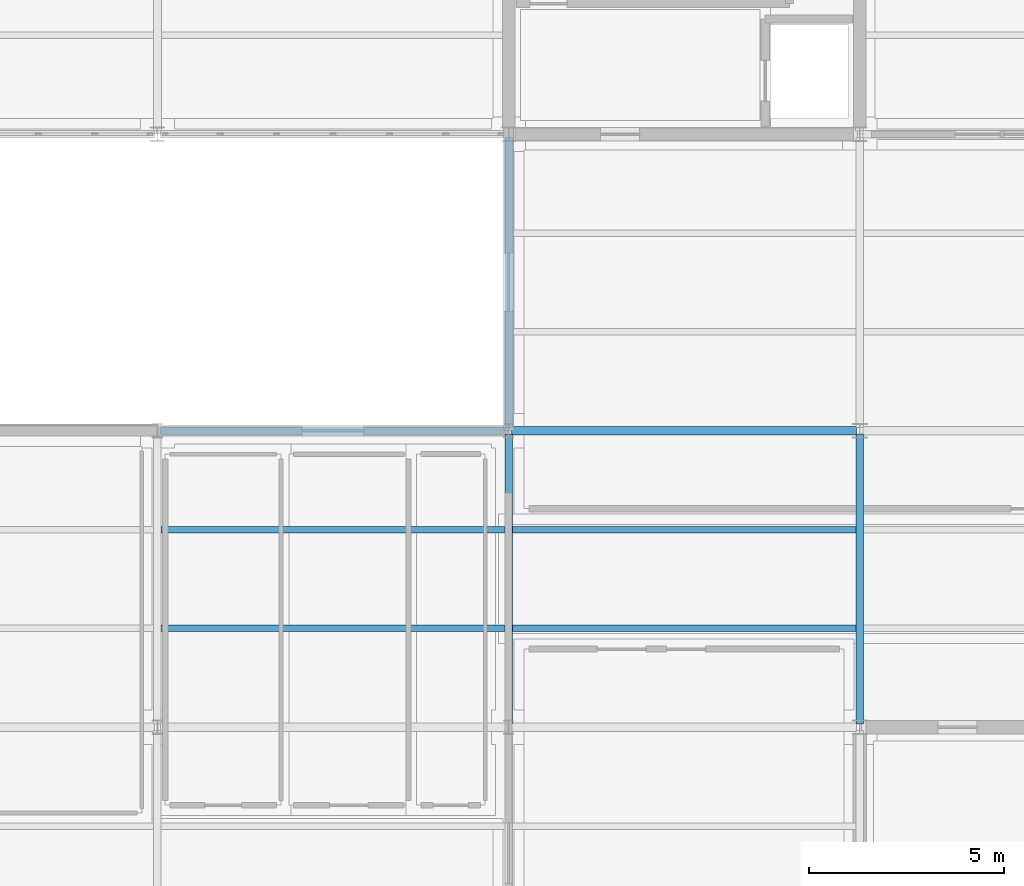
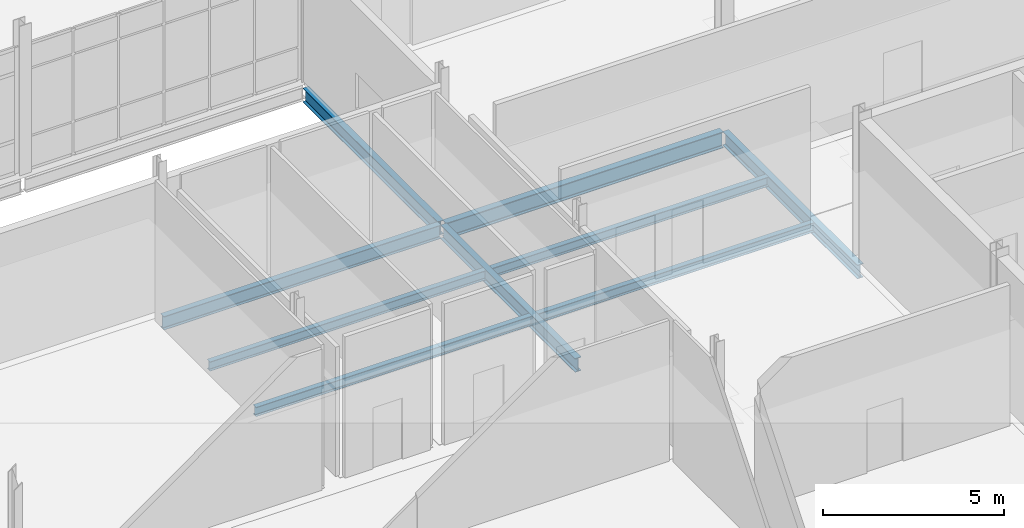
# One storey, part 37 of 161: 9 beams.
"""IFC4 building model written with IfcOpenShell, lengths in metres."""

from ifc_helpers import new_model, si_unit, direction, frame, origin, origin_2d, place, context, subcontext, project, spatial, i_section, extrude, material, material_profile, profile_set, type_object, element, save


model = new_model("IFC4")

# Units and contexts
model_context = context("Model", 3, precision=1e-05, world=origin(), true_north=direction((0.0, 1.0)))
body_context = subcontext(model_context, "Body", "Model", "MODEL_VIEW")
ifc_project = project(units=[si_unit("LENGTHUNIT", "METRE"), si_unit("AREAUNIT", "SQUARE_METRE"), si_unit("VOLUMEUNIT", "CUBIC_METRE"), si_unit("PLANEANGLEUNIT", "RADIAN"), si_unit("MASSUNIT", "GRAM", prefix="KILO")], contexts=[model_context])

# Site, building, storey
site_placement = place(None, origin())
site = spatial("IfcSite", under=ifc_project, at=site_placement, CompositionType="ELEMENT")
building_placement = place(site_placement, origin())
building = spatial("IfcBuilding", under=site, at=building_placement, Name="Caisbarro Railhouse Central Library", CompositionType="ELEMENT")
storey_placement = place(building_placement, origin())
storey = spatial("IfcBuildingStorey", under=building, at=storey_placement, Name="L00", CompositionType="ELEMENT", Elevation=0.0)

# Beams
ifc_material = material(Name="Steel ASTM A572 Grade 50", Category="steel")
ifc_material_profile_1 = material_profile(ifc_material, i_section(OverallWidth=0.2119140625, OverallDepth=0.5439453125, WebThickness=0.01318359375, FlangeThickness=0.021240234375, FilletRadius=0.02001953125, at=origin_2d()), Name="W530X123.0")
ifc_profile_set_1 = profile_set([ifc_material_profile_1], Name="Steel ASTM A572 Grade 50")
beam_type_1 = type_object("IfcBeamType", Name="BM-G05", PredefinedType="BEAM", material=ifc_profile_set_1)
beam_1_placement = place(storey_placement, frame((54.080078125, 22.800048828125, -0.552001953125), z_axis=(1.0, 0.0, 0.0), x_axis=(0.0, 1.0, 0.0)))
element("IfcBeam", 1, at=beam_1_placement, inside=storey, type_object=beam_type_1, Name="G05 beam L00 #168", PredefinedType="BEAM", context=body_context, shape_type="SweptSolid", body=[
    extrude(i_section(OverallWidth=0.2119140625, OverallDepth=0.5439453125, WebThickness=0.01318359375, FlangeThickness=0.021240234375, FilletRadius=0.02001953125, at=origin_2d()), origin(), (0.0, 0.0, 1.0), 8.83984375),
])
ifc_material_profile_2 = material_profile(ifc_material, i_section(OverallWidth=0.194091796875, OverallDepth=0.468994140625, WebThickness=0.0126953125, FlangeThickness=0.0205078125, FilletRadius=0.01806640625, at=origin_2d()), Name="W460X106.0")
ifc_profile_set_2 = profile_set([ifc_material_profile_2], Name="Steel ASTM A572 Grade 50")
beam_type_2 = type_object("IfcBeamType", Name="BM-G07", PredefinedType="BEAM", material=ifc_profile_set_2)
beam_2_placement = place(storey_placement, frame((54.0, 15.280029296875, -0.514404296875), z_axis=(0.0, 1.0, 0.0), x_axis=(-1.0, 0.0, 0.0)))
element("IfcBeam", 2, at=beam_2_placement, inside=storey, type_object=beam_type_2, Name="G07 beam L00 #113", PredefinedType="BEAM", context=body_context, shape_type="SweptSolid", body=[
    extrude(i_section(OverallWidth=0.194091796875, OverallDepth=0.468994140625, WebThickness=0.0126953125, FlangeThickness=0.0205078125, FilletRadius=0.01806640625, at=origin_2d()), origin(), (0.0, 0.0, 1.0), 7.43994140625),
])
beam_3_placement = place(storey_placement, frame((54.0, 22.8798828125, -0.514404296875), z_axis=(0.0, 1.0, 0.0), x_axis=(-1.0, 0.0, 0.0)))
element("IfcBeam", 3, at=beam_3_placement, inside=storey, type_object=beam_type_2, Name="G07 beam L00 #180", PredefinedType="BEAM", context=body_context, shape_type="SweptSolid", body=[
    extrude(i_section(OverallWidth=0.194091796875, OverallDepth=0.468994140625, WebThickness=0.0126953125, FlangeThickness=0.0205078125, FilletRadius=0.01806640625, at=origin_2d()), origin(), (0.0, 0.0, 1.0), 7.440185546875),
])
beam_4_placement = place(storey_placement, frame((63.0, 15.280029296875, -0.514404296875), z_axis=(0.0, 1.0, 0.0), x_axis=(-1.0, 0.0, 0.0)))
element("IfcBeam", 4, at=beam_4_placement, inside=storey, type_object=beam_type_2, Name="G07 beam L00 #183", PredefinedType="BEAM", context=body_context, shape_type="SweptSolid", body=[
    extrude(i_section(OverallWidth=0.194091796875, OverallDepth=0.468994140625, WebThickness=0.0126953125, FlangeThickness=0.0205078125, FilletRadius=0.01806640625, at=origin_2d()), origin(), (0.0, 0.0, 1.0), 7.43994140625),
])
ifc_material_profile_3 = material_profile(ifc_material, i_section(OverallWidth=0.1669921875, OverallDepth=0.31689453125, WebThickness=0.007568359375, FlangeThickness=0.01318359375, FilletRadius=0.011962890625, at=origin_2d()), Name="W310X52.0")
ifc_profile_set_3 = profile_set([ifc_material_profile_3], Name="Steel ASTM A572 Grade 50")
beam_type_3 = type_object("IfcBeamType", Name="BM-J02", PredefinedType="JOIST", material=ifc_profile_set_3)
for number, where, z_axis, x_axis, name in (
    (5, (45.096923828125, 17.7333984375, -0.4384765625), (1.0, 0.0, 0.0), (0.0, 1.0, 0.0), "J02 beam L00 #148"),
    (6, (45.096923828125, 20.2666015625, -0.4384765625), (1.0, 0.0, 0.0), (0.0, 1.0, 0.0), "J02 beam L00 #149"),
    (7, (54.096923828125, 17.7333984375, -0.4384765625), (1.0, 0.0, 0.0), (0.0, 1.0, 0.0), "J02 beam L00 #209"),
    (8, (54.096923828125, 20.2666015625, -0.4384765625), (1.0, 0.0, 0.0), (0.0, 1.0, 0.0), "J02 beam L00 #210"),
):
    element("IfcBeam", number, at=place(storey_placement, frame(where, z_axis=z_axis, x_axis=x_axis)), inside=storey, type_object=beam_type_3, Name=name, PredefinedType="JOIST", context=body_context, shape_type="SweptSolid", body=[
        extrude(i_section(OverallWidth=0.1669921875, OverallDepth=0.31689453125, WebThickness=0.007568359375, FlangeThickness=0.01318359375, FilletRadius=0.011962890625, at=origin_2d()), origin(), (0.0, 0.0, 1.0), 8.80615234375),
    ])
ifc_material_profile_4 = material_profile(ifc_material, i_section(OverallWidth=0.18994140625, OverallDepth=0.45703125, WebThickness=0.009033203125, FlangeThickness=0.014404296875, FilletRadius=0.01806640625, at=origin_2d()), Name="W460X74.0")
ifc_profile_set_4 = profile_set([ifc_material_profile_4], Name="Steel ASTM A572 Grade 50")
beam_type_4 = type_object("IfcBeamType", Name="BM-SP01", PredefinedType="SPANDREL", material=ifc_profile_set_4)
beam_5_placement = place(storey_placement, frame((45.080078125, 22.800048828125, -0.508544921875), z_axis=(1.0, 0.0, 0.0), x_axis=(0.0, 1.0, 0.0)))
element("IfcBeam", 9, at=beam_5_placement, inside=storey, type_object=beam_type_4, Name="SP01 beam L00 #92", PredefinedType="SPANDREL", context=body_context, shape_type="SweptSolid", body=[
    extrude(i_section(OverallWidth=0.18994140625, OverallDepth=0.45703125, WebThickness=0.009033203125, FlangeThickness=0.014404296875, FilletRadius=0.01806640625, at=origin_2d()), origin(), (0.0, 0.0, 1.0), 8.83984375),
])

save(model, "model.ifc")
